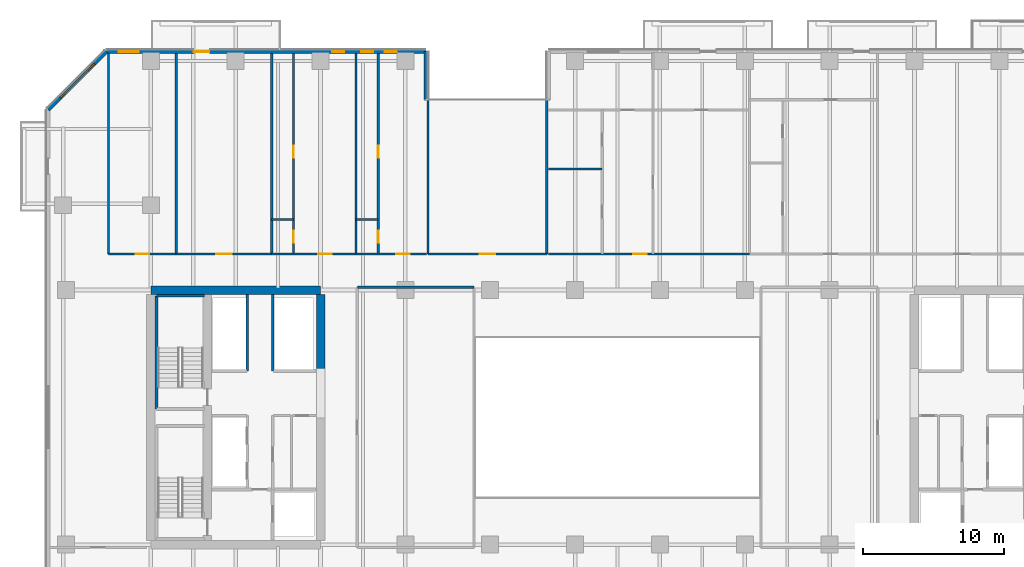
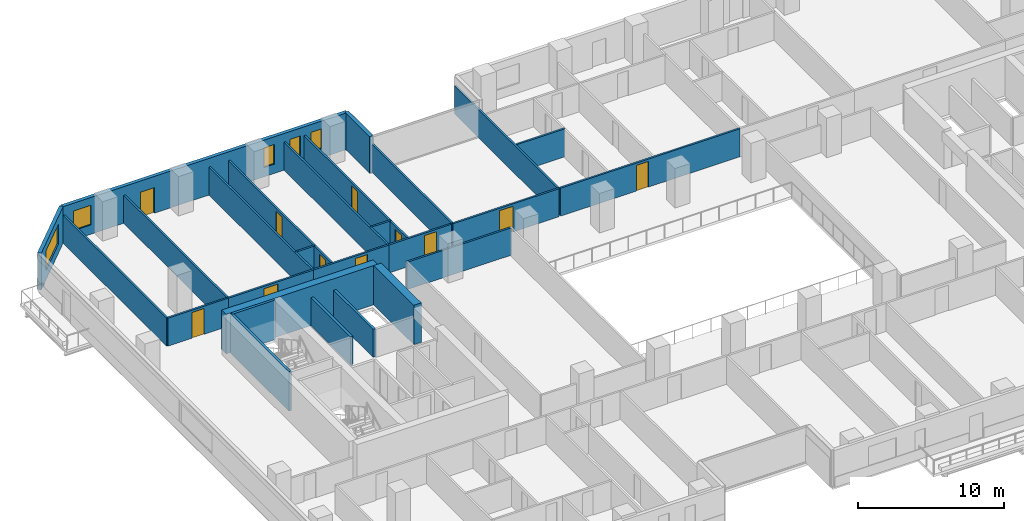
# One storey, part 13 of 26: 27 walls, 11 doors, 5 windows, 16 openings.
"""IFC4 building model written with IfcOpenShell, lengths in metres."""

from ifc_helpers import new_model, si_unit, direction, frame, frame_2d, origin, place, context, subcontext, project, spatial, rectangle, extrude, material, layer, layer_set, type_object, element, fill, save


model = new_model("IFC4")

# Units and contexts
model_context = context("Model", 3, precision=1e-05, world=origin(), true_north=direction((0.0, 1.0)))
body_context = subcontext(model_context, "Body", "Model", "MODEL_VIEW")
ifc_project = project(units=[si_unit("LENGTHUNIT", "METRE"), si_unit("AREAUNIT", "SQUARE_METRE"), si_unit("VOLUMEUNIT", "CUBIC_METRE"), si_unit("PLANEANGLEUNIT", "RADIAN"), si_unit("MASSUNIT", "GRAM", prefix="KILO")], contexts=[model_context])

# Site, building, storey
site_placement = place(None, origin())
site = spatial("IfcSite", under=ifc_project, at=site_placement, CompositionType="ELEMENT")
building_placement = place(site_placement, origin())
building = spatial("IfcBuilding", under=site, at=building_placement, Name="Tanjung Sevakor Pilgrim Tower", CompositionType="ELEMENT")
storey_placement = place(building_placement, frame((0.0, 0.0, 45.5400390625)))
storey = spatial("IfcBuildingStorey", under=building, at=storey_placement, Name="L12", CompositionType="ELEMENT", Elevation=45.5400390625)

# Walls
ifc_material_1 = material(Name="Concrete C60/75", Category="concrete")
ifc_layer_1 = layer(ifc_material_1, 0.60009765625)
ifc_layer_set_1 = layer_set([ifc_layer_1], Name="WALL-CW-600")
wall_type_1 = type_object("IfcWallType", Name="WALL-CW-600", PredefinedType="SHEAR", material=ifc_layer_set_1)
wall_1_placement = place(storey_placement, frame((36.0, 42.60009765625, 0.0), z_axis=(0.0, 0.0, 1.0), x_axis=(-1.0, 0.0, 0.0)))
element("IfcWall", 1, at=wall_1_placement, inside=storey, type_object=wall_type_1, Name="L12 W Core North Shear Wall", PredefinedType="SHEAR", context=body_context, shape_type="SweptSolid", body=[
    extrude(rectangle(XDim=12.0, YDim=0.60009765625, at=frame_2d((6.0, 0.0))), origin(), (0.0, 0.0, 1.0), 3.300048828125),
])
wall_2_placement = place(storey_placement, frame((36.0, 36.800048828125, 0.0), z_axis=(0.0, 0.0, 1.0), x_axis=(0.0, 1.0, 0.0)))
element("IfcWall", 2, at=wall_2_placement, inside=storey, type_object=wall_type_1, Name="L12 W Core Inner Shear Wall North", PredefinedType="SHEAR", context=body_context, shape_type="SweptSolid", body=[
    extrude(rectangle(XDim=5.5, YDim=0.60009765625, at=frame_2d((2.75, 0.0))), origin(), (0.0, 0.0, 1.0), 3.300048828125),
])
ifc_material_2 = material(Name="Concrete C40/50", Category="concrete")
ifc_layer_2 = layer(ifc_material_2, 0.14990234375)
ifc_layer_set_2 = layer_set([ifc_layer_2], Name="WT-COMP-150")
wall_type_2 = type_object("IfcWallType", Name="WT-COMP-150", PredefinedType="SOLIDWALL", material=ifc_layer_set_2)
wall_3_placement = place(storey_placement, frame((38.60009765625, 42.800048828125, 0.0), z_axis=(0.0, 0.0, 1.0), x_axis=(1.0, 0.0, 0.0)))
element("IfcWall", 3, at=wall_3_placement, inside=storey, type_object=wall_type_2, Name="L12 Partition IW-L12-026", PredefinedType="SOLIDWALL", context=body_context, shape_type="SweptSolid", body=[
    extrude(rectangle(XDim=8.25, YDim=0.14990234375, at=frame_2d((4.125, 0.0))), origin(), (0.0, 0.0, 1.0), 2.295166015625),
])

# Wall, opening, door
wall_4_placement = place(storey_placement, frame((43.60009765625, 45.14990234375, 0.0), z_axis=(0.0, 0.0, 1.0), x_axis=(1.0, 0.0, 0.0)))
wall_4 = element("IfcWall", 4, at=wall_4_placement, inside=storey, type_object=wall_type_2, Name="L12 Partition IW-L12-043", PredefinedType="SOLIDWALL", context=body_context, shape_type="SweptSolid", body=[
    extrude(rectangle(XDim=8.39990234375, YDim=0.14990234375, at=frame_2d((4.199951171875, 0.0))), origin(), (0.0, 0.0, 1.0), 2.35009765625),
])
opening_1_placement = place(wall_4_placement, frame((3.64990234375, 0.0, 0.0)))
opening_1 = element("IfcOpeningElement", 5, at=opening_1_placement, cuts=wall_4, Name="Opening ID-RM2", PredefinedType="OPENING", context=body_context, shape_type="SweptSolid", body=[
    extrude(rectangle(XDim=1.10009765625, YDim=2.14990234375, at=frame_2d((0.550048828125, 1.074951171875))), frame((0.0, 0.0849609375, 0.0), z_axis=(0.0, -1.0, 0.0), x_axis=(1.0, 0.0, 0.0)), (0.0, 0.0, 1.0), 0.169921875),
])
ifc_material_3 = material(Name="Hardwood Timber", Category="wood")
door_type_1 = type_object("IfcDoorType", Name="DT-INT-1100", OperationType="NOTDEFINED", PredefinedType="DOOR", material=ifc_material_3)
door_1_placement = place(opening_1_placement, origin())
door_1 = element("IfcDoor", 6, at=door_1_placement, inside=storey, type_object=door_type_1, Name="L12 North Cleft Seminar Room Door", OperationType="SINGLE_SWING_RIGHT", OverallHeight=2.14990234375, OverallWidth=1.10009765625, PredefinedType="DOOR", context=body_context, shape_type="SweptSolid", body=[
    extrude(rectangle(XDim=1.10009765625, YDim=2.14990234375, at=frame_2d((0.550048828125, 1.074951171875))), frame((0.0, 0.02490234375, 0.0), z_axis=(0.0, -1.0, 0.0), x_axis=(1.0, 0.0, 0.0)), (0.0, 0.0, 1.0), 0.050048828125),
])
fill(opening_1, door_1)

# Walls
for number, where, z_axis, x_axis, name in (
    (7, (43.60009765625, 45.14990234375, 0.0), (0.0, 0.0, 1.0), (0.0, 1.0, 0.0), "L12 Partition IW-L12-044"),
    (8, (52.0, 45.14990234375, 0.0), (0.0, 0.0, 1.0), (0.0, 1.0, 0.0), "L12 Partition IW-L12-045"),
    (9, (21.0, 45.14990234375, 0.0), (0.0, 0.0, 1.0), (0.0, 1.0, 0.0), "L12 Partition IW-L12-081"),
    (10, (25.798095703125, 45.14990234375, 0.0), (0.0, 0.0, 1.0), (0.0, 1.0, 0.0), "L12 Partition IW-L12-082"),
):
    element("IfcWall", number, at=place(storey_placement, frame(where, z_axis=z_axis, x_axis=x_axis)), inside=storey, type_object=wall_type_2, Name=name, PredefinedType="SOLIDWALL", context=body_context, shape_type="SweptSolid", body=[
        extrude(rectangle(XDim=14.170166015625, YDim=0.14990234375, at=frame_2d((7.0849609375, 0.0))), origin(), (0.0, 0.0, 1.0), 2.35009765625),
    ])

# Wall, opening, door
wall_5_placement = place(storey_placement, frame((21.0, 45.14990234375, 0.0), z_axis=(0.0, 0.0, 1.0), x_axis=(1.0, 0.0, 0.0)))
wall_5 = element("IfcWall", 11, at=wall_5_placement, inside=storey, type_object=wall_type_2, Name="L12 Partition IW-L12-083", PredefinedType="SOLIDWALL", context=body_context, shape_type="SweptSolid", body=[
    extrude(rectangle(XDim=4.798095703125, YDim=0.14990234375, at=frame_2d((2.39892578125, 0.0))), origin(), (0.0, 0.0, 1.0), 2.35009765625),
])
opening_2_placement = place(wall_5_placement, frame((1.924072265625, 0.0, 0.0)))
opening_2 = element("IfcOpeningElement", 12, at=opening_2_placement, cuts=wall_5, Name="Opening ID-FD2", PredefinedType="OPENING", context=body_context, shape_type="SweptSolid", body=[
    extrude(rectangle(XDim=0.949951171875, YDim=2.14990234375, at=frame_2d((0.47509765625, 1.074951171875))), frame((0.0, 0.0849609375, 0.0), z_axis=(0.0, -1.0, 0.0), x_axis=(1.0, 0.0, 0.0)), (0.0, 0.0, 1.0), 0.169921875),
])
ifc_material_4 = material(Name="Fire-Rated Timber", Category="wood")
door_type_2 = type_object("IfcDoorType", Name="DT-FIRE-950", OperationType="NOTDEFINED", PredefinedType="DOOR", material=ifc_material_4)
door_2_placement = place(opening_2_placement, origin())
door_2 = element("IfcDoor", 13, at=door_2_placement, inside=storey, type_object=door_type_2, Name="Study Room Entrance", OperationType="SINGLE_SWING_LEFT", OverallHeight=2.14990234375, OverallWidth=0.949951171875, PredefinedType="DOOR", context=body_context, shape_type="SweptSolid", body=[
    extrude(rectangle(XDim=0.949951171875, YDim=2.14990234375, at=frame_2d((0.47509765625, 1.074951171875))), frame((0.0, 0.02490234375, 0.0), z_axis=(0.0, -1.0, 0.0), x_axis=(1.0, 0.0, 0.0)), (0.0, 0.0, 1.0), 0.050048828125),
])
fill(opening_2, door_2)

# Wall
wall_6_placement = place(storey_placement, frame((32.551025390625, 45.14990234375, 0.0), z_axis=(0.0, 0.0, 1.0), x_axis=(0.0, 1.0, 0.0)))
element("IfcWall", 14, at=wall_6_placement, inside=storey, type_object=wall_type_2, Name="L12 Partition IW-L12-084", PredefinedType="SOLIDWALL", context=body_context, shape_type="SweptSolid", body=[
    extrude(rectangle(XDim=14.170166015625, YDim=0.14990234375, at=frame_2d((7.0849609375, 0.0))), origin(), (0.0, 0.0, 1.0), 2.35009765625),
])

# Wall, opening, door
wall_7_placement = place(storey_placement, frame((25.798095703125, 45.14990234375, 0.0), z_axis=(0.0, 0.0, 1.0), x_axis=(1.0, 0.0, 0.0)))
wall_7 = element("IfcWall", 15, at=wall_7_placement, inside=storey, type_object=wall_type_2, Name="L12 Partition IW-L12-085", PredefinedType="SOLIDWALL", context=body_context, shape_type="SweptSolid", body=[
    extrude(rectangle(XDim=6.7529296875, YDim=0.14990234375, at=frame_2d((3.37646484375, 0.0))), origin(), (0.0, 0.0, 1.0), 2.35009765625),
])
opening_3_placement = place(wall_7_placement, frame((2.826416015625, 0.0, 0.0)))
opening_3 = element("IfcOpeningElement", 16, at=opening_3_placement, cuts=wall_7, Name="Opening ID-FD0", PredefinedType="OPENING", context=body_context, shape_type="SweptSolid", body=[
    extrude(rectangle(XDim=1.10009765625, YDim=2.14990234375, at=frame_2d((0.550048828125, 1.074951171875))), frame((0.0, 0.0849609375, 0.0), z_axis=(0.0, -1.0, 0.0), x_axis=(1.0, 0.0, 0.0)), (0.0, 0.0, 1.0), 0.169921875),
])
ifc_material_5 = material(Name="Fire-Rated Steel S355J2", Category="steel")
door_type_3 = type_object("IfcDoorType", Name="DT-FIRE-1100", OperationType="NOTDEFINED", PredefinedType="DOOR", material=ifc_material_5)
door_3_placement = place(opening_3_placement, origin())
door_3 = element("IfcDoor", 17, at=door_3_placement, inside=storey, type_object=door_type_3, Name="Communal Lounge Door", OperationType="SINGLE_SWING_RIGHT", OverallHeight=2.14990234375, OverallWidth=1.10009765625, PredefinedType="DOOR", context=body_context, shape_type="SweptSolid", body=[
    extrude(rectangle(XDim=1.10009765625, YDim=2.14990234375, at=frame_2d((0.550048828125, 1.074951171875))), frame((0.0, 0.02490234375, 0.0), z_axis=(0.0, -1.0, 0.0), x_axis=(1.0, 0.0, 0.0)), (0.0, 0.0, 1.0), 0.050048828125),
])
fill(opening_3, door_3)

# Wall
wall_8_placement = place(storey_placement, frame((38.504150390625, 45.14990234375, 0.0), z_axis=(0.0, 0.0, 1.0), x_axis=(0.0, 1.0, 0.0)))
element("IfcWall", 18, at=wall_8_placement, inside=storey, type_object=wall_type_2, Name="L12 Partition IW-L12-086", PredefinedType="SOLIDWALL", context=body_context, shape_type="SweptSolid", body=[
    extrude(rectangle(XDim=14.170166015625, YDim=0.14990234375, at=frame_2d((7.0849609375, 0.0))), origin(), (0.0, 0.0, 1.0), 2.35009765625),
])

# Wall, opening, door
wall_9_placement = place(storey_placement, frame((32.551025390625, 45.14990234375, 0.0), z_axis=(0.0, 0.0, 1.0), x_axis=(1.0, 0.0, 0.0)))
wall_9 = element("IfcWall", 19, at=wall_9_placement, inside=storey, type_object=wall_type_2, Name="L12 Partition IW-L12-089", PredefinedType="SOLIDWALL", context=body_context, shape_type="SweptSolid", body=[
    extrude(rectangle(XDim=5.953125, YDim=0.14990234375, at=frame_2d((2.9765625, 0.0))), origin(), (0.0, 0.0, 1.0), 2.35009765625),
])
opening_4_placement = place(wall_9_placement, frame((3.30615234375, 0.0, 0.0)))
opening_4 = element("IfcOpeningElement", 20, at=opening_4_placement, cuts=wall_9, Name="Opening ID-FD2", PredefinedType="OPENING", context=body_context, shape_type="SweptSolid", body=[
    extrude(rectangle(XDim=0.949951171875, YDim=2.14990234375, at=frame_2d((0.47509765625, 1.074951171875))), frame((0.0, 0.0849609375, 0.0), z_axis=(0.0, -1.0, 0.0), x_axis=(1.0, 0.0, 0.0)), (0.0, 0.0, 1.0), 0.169921875),
])
door_4_placement = place(opening_4_placement, origin())
door_4 = element("IfcDoor", 21, at=door_4_placement, inside=storey, type_object=door_type_2, Name="Hotel Guestroom Entrance", OperationType="SINGLE_SWING_LEFT", OverallHeight=2.14990234375, OverallWidth=0.949951171875, PredefinedType="DOOR", context=body_context, shape_type="SweptSolid", body=[
    extrude(rectangle(XDim=0.949951171875, YDim=2.14990234375, at=frame_2d((0.47509765625, 1.074951171875))), frame((0.0, 0.02490234375, 0.0), z_axis=(0.0, -1.0, 0.0), x_axis=(1.0, 0.0, 0.0)), (0.0, 0.0, 1.0), 0.050048828125),
])
fill(opening_4, door_4)

wall_10_placement = place(storey_placement, frame((38.504150390625, 45.14990234375, 0.0), z_axis=(0.0, 0.0, 1.0), x_axis=(1.0, 0.0, 0.0)))
wall_10 = element("IfcWall", 22, at=wall_10_placement, inside=storey, type_object=wall_type_2, Name="L12 Partition IW-L12-092", PredefinedType="SOLIDWALL", context=body_context, shape_type="SweptSolid", body=[
    extrude(rectangle(XDim=4.975830078125, YDim=0.14990234375, at=frame_2d((2.48779296875, 0.0))), origin(), (0.0, 0.0, 1.0), 2.35009765625),
])
opening_5_placement = place(wall_10_placement, frame((2.8408203125, 0.0, 0.0)))
opening_5 = element("IfcOpeningElement", 23, at=opening_5_placement, cuts=wall_10, Name="Opening ID-FD2", PredefinedType="OPENING", context=body_context, shape_type="SweptSolid", body=[
    extrude(rectangle(XDim=0.949951171875, YDim=2.14990234375, at=frame_2d((0.47509765625, 1.074951171875))), frame((0.0, 0.0849609375, 0.0), z_axis=(0.0, -1.0, 0.0), x_axis=(1.0, 0.0, 0.0)), (0.0, 0.0, 1.0), 0.169921875),
])
door_5_placement = place(opening_5_placement, origin())
door_5 = element("IfcDoor", 24, at=door_5_placement, inside=storey, type_object=door_type_2, Name="Hostel Quad Entrance", OperationType="SINGLE_SWING_RIGHT", OverallHeight=2.14990234375, OverallWidth=0.949951171875, PredefinedType="DOOR", context=body_context, shape_type="SweptSolid", body=[
    extrude(rectangle(XDim=0.949951171875, YDim=2.14990234375, at=frame_2d((0.47509765625, 1.074951171875))), frame((0.0, 0.02490234375, 0.0), z_axis=(0.0, -1.0, 0.0), x_axis=(1.0, 0.0, 0.0)), (0.0, 0.0, 1.0), 0.050048828125),
])
fill(opening_5, door_5)

wall_11_placement = place(storey_placement, frame((52.1201171875, 45.14990234375, 0.0), z_axis=(0.0, 0.0, 1.0), x_axis=(1.0, 0.0, 0.0)))
wall_11 = element("IfcWall", 25, at=wall_11_placement, inside=storey, type_object=wall_type_2, Name="L12 Partition IW-L12-100", PredefinedType="SOLIDWALL", context=body_context, shape_type="SweptSolid", body=[
    extrude(rectangle(XDim=14.22119140625, YDim=0.14990234375, at=frame_2d((7.110595703125, 0.0))), origin(), (0.0, 0.0, 1.0), 2.35009765625),
])
opening_6_placement = place(wall_11_placement, frame((5.995361328125, 0.0, 0.0)))
opening_6 = element("IfcOpeningElement", 26, at=opening_6_placement, cuts=wall_11, Name="Opening ID-FD2", PredefinedType="OPENING", context=body_context, shape_type="SweptSolid", body=[
    extrude(rectangle(XDim=0.949951171875, YDim=2.14990234375, at=frame_2d((0.47509765625, 1.074951171875))), frame((0.0, 0.0849609375, 0.0), z_axis=(0.0, -1.0, 0.0), x_axis=(1.0, 0.0, 0.0)), (0.0, 0.0, 1.0), 0.169921875),
])
door_6_placement = place(opening_6_placement, origin())
door_6 = element("IfcDoor", 27, at=door_6_placement, inside=storey, type_object=door_type_2, Name="Suite Entrance", OperationType="SINGLE_SWING_RIGHT", OverallHeight=2.14990234375, OverallWidth=0.949951171875, PredefinedType="DOOR", context=body_context, shape_type="SweptSolid", body=[
    extrude(rectangle(XDim=0.949951171875, YDim=2.14990234375, at=frame_2d((0.47509765625, 1.074951171875))), frame((0.0, 0.02490234375, 0.0), z_axis=(0.0, -1.0, 0.0), x_axis=(1.0, 0.0, 0.0)), (0.0, 0.0, 1.0), 0.050048828125),
])
fill(opening_6, door_6)

# Wall
ifc_material_6 = material(Name="Precast concrete C45/55", Category="concrete")
ifc_layer_3 = layer(ifc_material_6, 0.280029296875)
ifc_layer_set_3 = layer_set([ifc_layer_3], Name="WT-EW-STN2")
wall_type_3 = type_object("IfcWallType", Name="WT-EW-STN2", PredefinedType="SOLIDWALL", material=ifc_layer_set_3)
wall_12_placement = place(storey_placement, frame((43.4599609375, 56.06005859375, 0.0), z_axis=(0.0, 0.0, 1.0), x_axis=(0.0, 1.0, 0.0)))
element("IfcWall", 28, at=wall_12_placement, inside=storey, type_object=wall_type_3, Name="L12 MAIN Exterior Wall 12", PredefinedType="SOLIDWALL", context=body_context, shape_type="SweptSolid", body=[
    extrude(rectangle(XDim=3.39990234375, YDim=0.280029296875, at=frame_2d((1.699951171875, 0.0))), origin(), (0.0, 0.0, 1.0), 3.080078125),
])

# Wall, openings, door, windows
wall_13_placement = place(storey_placement, frame((43.4599609375, 59.4599609375, 0.0), z_axis=(0.0, 0.0, 1.0), x_axis=(-1.0, 0.0, 0.0)))
wall_13 = element("IfcWall", 29, at=wall_13_placement, inside=storey, type_object=wall_type_3, Name="L12 MAIN Exterior Wall 13", PredefinedType="SOLIDWALL", context=body_context, shape_type="SweptSolid", body=[
    extrude(rectangle(XDim=22.60205078125, YDim=0.280029296875, at=frame_2d((11.301025390625, 0.0))), origin(), (0.0, 0.0, 1.0), 3.080078125),
])
opening_7_placement = place(wall_13_placement, frame((15.31005859375, 0.0, 0.0)))
opening_7 = element("IfcOpeningElement", 30, at=opening_7_placement, cuts=wall_13, Name="Opening ED-BAL-1100", PredefinedType="OPENING", context=body_context, shape_type="SweptSolid", body=[
    extrude(rectangle(XDim=1.10009765625, YDim=2.14990234375, at=frame_2d((0.550048828125, 1.074951171875))), frame((0.0, 0.14990234375, 0.0), z_axis=(0.0, -1.0, 0.0), x_axis=(1.0, 0.0, 0.0)), (0.0, 0.0, 1.0), 0.300048828125),
])
opening_8_placement = place(wall_13_placement, frame((20.321044921875, 0.0, 0.780029296875)))
opening_8 = element("IfcOpeningElement", 31, at=opening_8_placement, cuts=wall_13, Name="Opening WN-END", PredefinedType="OPENING", context=body_context, shape_type="SweptSolid", body=[
    extrude(rectangle(XDim=1.39990234375, YDim=1.64990234375, at=frame_2d((0.699951171875, 0.824951171875))), frame((0.0, 0.14990234375, 0.0), z_axis=(0.0, -1.0, 0.0), x_axis=(1.0, 0.0, 0.0)), (0.0, 0.0, 1.0), 0.300048828125),
])
opening_9_placement = place(wall_13_placement, frame((5.79296875, 0.0, 0.780029296875)))
opening_9 = element("IfcOpeningElement", 32, at=opening_9_placement, cuts=wall_13, Name="Opening WN-SLM", PredefinedType="OPENING", context=body_context, shape_type="SweptSolid", body=[
    extrude(rectangle(XDim=0.85009765625, YDim=1.64990234375, at=frame_2d((0.425048828125, 0.824951171875))), frame((0.0, 0.14990234375, 0.0), z_axis=(0.0, -1.0, 0.0), x_axis=(1.0, 0.0, 0.0)), (0.0, 0.0, 1.0), 0.300048828125),
])
opening_10_placement = place(wall_13_placement, frame((3.73291015625, 0.0, 0.780029296875)))
opening_10 = element("IfcOpeningElement", 33, at=opening_10_placement, cuts=wall_13, Name="Opening WN-SLM", PredefinedType="OPENING", context=body_context, shape_type="SweptSolid", body=[
    extrude(rectangle(XDim=0.85009765625, YDim=1.64990234375, at=frame_2d((0.425048828125, 0.824951171875))), frame((0.0, 0.14990234375, 0.0), z_axis=(0.0, -1.0, 0.0), x_axis=(1.0, 0.0, 0.0)), (0.0, 0.0, 1.0), 0.300048828125),
])
opening_11_placement = place(wall_13_placement, frame((2.06494140625, 0.0, 0.780029296875)))
opening_11 = element("IfcOpeningElement", 34, at=opening_11_placement, cuts=wall_13, Name="Opening WN-SLM", PredefinedType="OPENING", context=body_context, shape_type="SweptSolid", body=[
    extrude(rectangle(XDim=0.85009765625, YDim=1.64990234375, at=frame_2d((0.425048828125, 0.824951171875))), frame((0.0, 0.14990234375, 0.0), z_axis=(0.0, -1.0, 0.0), x_axis=(1.0, 0.0, 0.0)), (0.0, 0.0, 1.0), 0.300048828125),
])
ifc_material_7 = material(Name="Anodised Aluminium and Laminated Glass", Category="aluminium")
door_type_4 = type_object("IfcDoorType", Name="DTYP-ED-BAL-1100", OperationType="NOTDEFINED", PredefinedType="DOOR", material=ifc_material_7)
door_7_placement = place(opening_7_placement, frame((1.10009765625, 0.0, 0.0), z_axis=(0.0, 0.0, 1.0), x_axis=(-1.0, 0.0, 0.0)))
door_7 = element("IfcDoor", 35, at=door_7_placement, inside=storey, type_object=door_type_4, Name="L12 Balcony Door MAIN-N1", OperationType="SINGLE_SWING_LEFT", OverallHeight=2.14990234375, OverallWidth=1.10009765625, PredefinedType="DOOR", context=body_context, shape_type="SweptSolid", body=[
    extrude(rectangle(XDim=1.10009765625, YDim=2.14990234375, at=frame_2d((0.550048828125, 1.074951171875))), frame((0.0, 0.02490234375, 0.0), z_axis=(0.0, -1.0, 0.0), x_axis=(1.0, 0.0, 0.0)), (0.0, 0.0, 1.0), 0.050048828125),
])
fill(opening_7, door_7)
ifc_material_8 = material(Name="Thermally Broken Aluminium and Low-E Glass", Category="aluminium")
window_type_1 = type_object("IfcWindowType", Name="WTYP-WN-END", PartitioningType="SINGLE_PANEL", PredefinedType="WINDOW", material=ifc_material_8)
window_1_placement = place(opening_8_placement, origin())
window_1 = element("IfcWindow", 36, at=window_1_placement, inside=storey, type_object=window_type_1, Name="L12 Facade Window 01", OverallHeight=1.64990234375, OverallWidth=1.39990234375, PartitioningType="SINGLE_PANEL", PredefinedType="WINDOW", context=body_context, shape_type="SweptSolid", body=[
    extrude(rectangle(XDim=1.39990234375, YDim=1.64990234375, at=frame_2d((0.699951171875, 0.824951171875))), frame((0.0, 0.030029296875, 0.0), z_axis=(0.0, -1.0, 0.0), x_axis=(1.0, 0.0, 0.0)), (0.0, 0.0, 1.0), 0.06005859375),
])
fill(opening_8, window_1)
ifc_material_9 = material(Name="Thermally Broken Aluminium and Low-E Glass", Category="aluminium")
window_type_2 = type_object("IfcWindowType", Name="WTYP-WN-SLM", PartitioningType="SINGLE_PANEL", PredefinedType="WINDOW", material=ifc_material_9)
window_2_placement = place(opening_9_placement, origin())
window_2 = element("IfcWindow", 37, at=window_2_placement, inside=storey, type_object=window_type_2, Name="L12 Facade Window 02", OverallHeight=1.64990234375, OverallWidth=0.85009765625, PartitioningType="SINGLE_PANEL", PredefinedType="WINDOW", context=body_context, shape_type="SweptSolid", body=[
    extrude(rectangle(XDim=0.85009765625, YDim=1.64990234375, at=frame_2d((0.425048828125, 0.824951171875))), frame((0.0, 0.030029296875, 0.0), z_axis=(0.0, -1.0, 0.0), x_axis=(1.0, 0.0, 0.0)), (0.0, 0.0, 1.0), 0.06005859375),
])
fill(opening_9, window_2)
window_3_placement = place(opening_10_placement, origin())
window_3 = element("IfcWindow", 38, at=window_3_placement, inside=storey, type_object=window_type_2, Name="L12 Facade Window 03", OverallHeight=1.64990234375, OverallWidth=0.85009765625, PartitioningType="SINGLE_PANEL", PredefinedType="WINDOW", context=body_context, shape_type="SweptSolid", body=[
    extrude(rectangle(XDim=0.85009765625, YDim=1.64990234375, at=frame_2d((0.425048828125, 0.824951171875))), frame((0.0, 0.030029296875, 0.0), z_axis=(0.0, -1.0, 0.0), x_axis=(1.0, 0.0, 0.0)), (0.0, 0.0, 1.0), 0.06005859375),
])
fill(opening_10, window_3)
window_4_placement = place(opening_11_placement, origin())
window_4 = element("IfcWindow", 39, at=window_4_placement, inside=storey, type_object=window_type_2, Name="L12 Facade Window 04", OverallHeight=1.64990234375, OverallWidth=0.85009765625, PartitioningType="SINGLE_PANEL", PredefinedType="WINDOW", context=body_context, shape_type="SweptSolid", body=[
    extrude(rectangle(XDim=0.85009765625, YDim=1.64990234375, at=frame_2d((0.425048828125, 0.824951171875))), frame((0.0, 0.030029296875, 0.0), z_axis=(0.0, -1.0, 0.0), x_axis=(1.0, 0.0, 0.0)), (0.0, 0.0, 1.0), 0.06005859375),
])
fill(opening_11, window_4)

# Wall, opening, window
wall_14_placement = place(storey_placement, frame((20.85791015625, 59.4599609375, 0.0), z_axis=(0.0, 0.0, 1.0), x_axis=(-0.707106781187, -0.707106781187, 0.0)))
wall_14 = element("IfcWall", 40, at=wall_14_placement, inside=storey, type_object=wall_type_3, Name="L12 MAIN Sculpted Corner Wall 13", PredefinedType="SOLIDWALL", context=body_context, shape_type="SweptSolid", body=[
    extrude(rectangle(XDim=5.82373046875, YDim=0.280029296875, at=frame_2d((2.911865234375, 0.0))), origin(), (0.0, 0.0, 1.0), 3.080078125),
])
opening_12_placement = place(wall_14_placement, frame((1.2119140625, 0.0, 0.780029296875)))
opening_12 = element("IfcOpeningElement", 41, at=opening_12_placement, cuts=wall_14, Name="Opening WN-CHM-1660", PredefinedType="OPENING", context=body_context, shape_type="SweptSolid", body=[
    extrude(rectangle(XDim=3.39990234375, YDim=1.659912109375, at=frame_2d((1.699951171875, 0.830078125))), frame((0.0, 0.14990234375, 0.0), z_axis=(0.0, -1.0, 0.0), x_axis=(1.0, 0.0, 0.0)), (0.0, 0.0, 1.0), 0.300048828125),
])
ifc_material_10 = material(Name="Thermally Broken Aluminium and Low-E Glass", Category="aluminium")
window_type_3 = type_object("IfcWindowType", Name="WTYP-WN-CHM-1660", PartitioningType="DOUBLE_PANEL_VERTICAL", PredefinedType="WINDOW", material=ifc_material_10)
window_5_placement = place(opening_12_placement, origin())
window_5 = element("IfcWindow", 42, at=window_5_placement, inside=storey, type_object=window_type_3, Name="L12 Facade Window 01", OverallHeight=1.659912109375, OverallWidth=3.39990234375, PartitioningType="SINGLE_PANEL", PredefinedType="WINDOW", context=body_context, shape_type="SweptSolid", body=[
    extrude(rectangle(XDim=3.39990234375, YDim=1.659912109375, at=frame_2d((1.699951171875, 0.830078125))), frame((0.0, 0.030029296875, 0.0), z_axis=(0.0, -1.0, 0.0), x_axis=(1.0, 0.0, 0.0)), (0.0, 0.0, 1.0), 0.06005859375),
])
fill(opening_12, window_5)

# Walls
ifc_material_11 = material(Name="Concrete C40/50", Category="concrete")
ifc_layer_4 = layer(ifc_material_11, 0.199951171875)
ifc_layer_set_4 = layer_set([ifc_layer_4], Name="WT-FIRE-200")
wall_type_4 = type_object("IfcWallType", Name="WT-FIRE-200", PredefinedType="SOLIDWALL", material=ifc_layer_set_4)
wall_15_placement = place(storey_placement, frame((27.800048828125, 42.199951171875, 0.0), z_axis=(0.0, 0.0, 1.0), x_axis=(-1.0, 0.0, 0.0)))
element("IfcWall", 43, at=wall_15_placement, inside=storey, type_object=wall_type_4, Name="L12 TS-W2 Shaft Wall 2", PredefinedType="SOLIDWALL", context=body_context, shape_type="SweptSolid", body=[
    extrude(rectangle(XDim=3.400146484375, YDim=0.199951171875, at=frame_2d((1.7001953125, 0.0))), origin(), (0.0, 0.0, 1.0), 3.300048828125),
])
wall_16_placement = place(storey_placement, frame((24.39990234375, 42.199951171875, 0.0), z_axis=(0.0, 0.0, 1.0), x_axis=(0.0, -1.0, 0.0)))
element("IfcWall", 44, at=wall_16_placement, inside=storey, type_object=wall_type_4, Name="L12 TS-W2 Shaft Wall 3", PredefinedType="SOLIDWALL", context=body_context, shape_type="SweptSolid", body=[
    extrude(rectangle(XDim=8.0, YDim=0.199951171875, at=frame_2d((4.0, 0.0))), origin(), (0.0, 0.0, 1.0), 3.300048828125),
])
ifc_material_12 = material(Name="Concrete C40/50", Category="concrete")
ifc_layer_5 = layer(ifc_material_12, 0.199951171875)
ifc_layer_set_5 = layer_set([ifc_layer_5], Name="WT-FPRT-200")
wall_type_5 = type_object("IfcWallType", Name="WT-FPRT-200", PredefinedType="SOLIDWALL", material=ifc_layer_set_5)
for number, where, z_axis, x_axis, name in (
    (45, (30.820068359375, 36.8798828125, 0.0), (0.0, 0.0, 1.0), (0.0, 1.0, 0.0), "L12 Partition IW-L12-010"),
    (46, (32.6201171875, 36.8798828125, 0.0), (0.0, 0.0, 1.0), (0.0, 1.0, 0.0), "L12 Partition IW-L12-012"),
):
    element("IfcWall", number, at=place(storey_placement, frame(where, z_axis=z_axis, x_axis=x_axis)), inside=storey, type_object=wall_type_5, Name=name, PredefinedType="SOLIDWALL", context=body_context, shape_type="SweptSolid", body=[
        extrude(rectangle(XDim=5.420166015625, YDim=0.199951171875, at=frame_2d((2.7099609375, 0.0))), origin(), (0.0, 0.0, 1.0), 2.35009765625),
    ])
ifc_material_13 = material(Name="Gypsum Board Partition", Category="gypsum board")
ifc_layer_6 = layer(ifc_material_13, 0.14990234375)
ifc_layer_set_6 = layer_set([ifc_layer_6], Name="WT-PART-150")
wall_type_6 = type_object("IfcWallType", Name="WT-PART-150", PredefinedType="PARTITIONING", material=ifc_layer_set_6)
wall_17_placement = place(storey_placement, frame((32.551025390625, 47.60009765625, 0.0), z_axis=(0.0, 0.0, 1.0), x_axis=(1.0, 0.0, 0.0)))
element("IfcWall", 47, at=wall_17_placement, inside=storey, type_object=wall_type_6, Name="L12 Partition IW-L12-087", PredefinedType="PARTITIONING", context=body_context, shape_type="SweptSolid", body=[
    extrude(rectangle(XDim=1.529052734375, YDim=0.14990234375, at=frame_2d((0.7646484375, 0.0))), origin(), (0.0, 0.0, 1.0), 2.35009765625),
])

# Wall, openings, doors
wall_18_placement = place(storey_placement, frame((34.080078125, 45.14990234375, 0.0), z_axis=(0.0, 0.0, 1.0), x_axis=(0.0, 1.0, 0.0)))
wall_18 = element("IfcWall", 48, at=wall_18_placement, inside=storey, type_object=wall_type_6, Name="L12 Partition IW-L12-088", PredefinedType="PARTITIONING", context=body_context, shape_type="SweptSolid", body=[
    extrude(rectangle(XDim=14.170166015625, YDim=0.14990234375, at=frame_2d((7.0849609375, 0.0))), origin(), (0.0, 0.0, 1.0), 2.35009765625),
])
opening_13_placement = place(wall_18_placement, frame((0.800048828125, 0.0, 0.0)))
opening_13 = element("IfcOpeningElement", 49, at=opening_13_placement, cuts=wall_18, Name="Opening ID-WC1", PredefinedType="OPENING", context=body_context, shape_type="SweptSolid", body=[
    extrude(rectangle(XDim=0.85009765625, YDim=2.10009765625, at=frame_2d((0.425048828125, 1.050048828125))), frame((0.0, 0.0849609375, 0.0), z_axis=(0.0, -1.0, 0.0), x_axis=(1.0, 0.0, 0.0)), (0.0, 0.0, 1.0), 0.169921875),
])
opening_14_placement = place(wall_18_placement, frame((6.798095703125, 0.0, 0.0)))
opening_14 = element("IfcOpeningElement", 50, at=opening_14_placement, cuts=wall_18, Name="Opening ID-WC1", PredefinedType="OPENING", context=body_context, shape_type="SweptSolid", body=[
    extrude(rectangle(XDim=0.85009765625, YDim=2.10009765625, at=frame_2d((0.425048828125, 1.050048828125))), frame((0.0, 0.0849609375, 0.0), z_axis=(0.0, -1.0, 0.0), x_axis=(1.0, 0.0, 0.0)), (0.0, 0.0, 1.0), 0.169921875),
])
ifc_material_14 = material(Name="Moisture-Resistant Timber", Category="wood")
door_type_5 = type_object("IfcDoorType", Name="DT-INT-850", OperationType="NOTDEFINED", PredefinedType="DOOR", material=ifc_material_14)
door_8_placement = place(opening_13_placement, origin())
door_8 = element("IfcDoor", 51, at=door_8_placement, inside=storey, type_object=door_type_5, Name="Bathroom Door", OperationType="SINGLE_SWING_LEFT", OverallHeight=2.10009765625, OverallWidth=0.85009765625, PredefinedType="DOOR", context=body_context, shape_type="SweptSolid", body=[
    extrude(rectangle(XDim=0.85009765625, YDim=2.10009765625, at=frame_2d((0.425048828125, 1.050048828125))), frame((0.0, 0.02490234375, 0.0), z_axis=(0.0, -1.0, 0.0), x_axis=(1.0, 0.0, 0.0)), (0.0, 0.0, 1.0), 0.050048828125),
])
fill(opening_13, door_8)
door_9_placement = place(opening_14_placement, origin())
door_9 = element("IfcDoor", 52, at=door_9_placement, inside=storey, type_object=door_type_5, Name="Study Nook Door", OperationType="SINGLE_SWING_RIGHT", OverallHeight=2.10009765625, OverallWidth=0.85009765625, PredefinedType="DOOR", context=body_context, shape_type="SweptSolid", body=[
    extrude(rectangle(XDim=0.85009765625, YDim=2.10009765625, at=frame_2d((0.425048828125, 1.050048828125))), frame((0.0, 0.02490234375, 0.0), z_axis=(0.0, -1.0, 0.0), x_axis=(1.0, 0.0, 0.0)), (0.0, 0.0, 1.0), 0.050048828125),
])
fill(opening_14, door_9)

# Wall
wall_19_placement = place(storey_placement, frame((38.504150390625, 47.60009765625, 0.0), z_axis=(0.0, 0.0, 1.0), x_axis=(1.0, 0.0, 0.0)))
element("IfcWall", 53, at=wall_19_placement, inside=storey, type_object=wall_type_6, Name="L12 Partition IW-L12-090", PredefinedType="PARTITIONING", context=body_context, shape_type="SweptSolid", body=[
    extrude(rectangle(XDim=1.575927734375, YDim=0.14990234375, at=frame_2d((0.7880859375, 0.0))), origin(), (0.0, 0.0, 1.0), 2.35009765625),
])

# Wall, openings, doors
wall_20_placement = place(storey_placement, frame((40.080078125, 45.14990234375, 0.0), z_axis=(0.0, 0.0, 1.0), x_axis=(0.0, 1.0, 0.0)))
wall_20 = element("IfcWall", 54, at=wall_20_placement, inside=storey, type_object=wall_type_6, Name="L12 Partition IW-L12-091", PredefinedType="PARTITIONING", context=body_context, shape_type="SweptSolid", body=[
    extrude(rectangle(XDim=14.170166015625, YDim=0.14990234375, at=frame_2d((7.0849609375, 0.0))), origin(), (0.0, 0.0, 1.0), 2.35009765625),
])
opening_15_placement = place(wall_20_placement, frame((0.800048828125, 0.0, 0.0)))
opening_15 = element("IfcOpeningElement", 55, at=opening_15_placement, cuts=wall_20, Name="Opening ID-WC1", PredefinedType="OPENING", context=body_context, shape_type="SweptSolid", body=[
    extrude(rectangle(XDim=0.85009765625, YDim=2.10009765625, at=frame_2d((0.425048828125, 1.050048828125))), frame((0.0, 0.0849609375, 0.0), z_axis=(0.0, -1.0, 0.0), x_axis=(1.0, 0.0, 0.0)), (0.0, 0.0, 1.0), 0.169921875),
])
opening_16_placement = place(wall_20_placement, frame((6.798095703125, 0.0, 0.0)))
opening_16 = element("IfcOpeningElement", 56, at=opening_16_placement, cuts=wall_20, Name="Opening ID-WC1", PredefinedType="OPENING", context=body_context, shape_type="SweptSolid", body=[
    extrude(rectangle(XDim=0.85009765625, YDim=2.10009765625, at=frame_2d((0.425048828125, 1.050048828125))), frame((0.0, 0.0849609375, 0.0), z_axis=(0.0, -1.0, 0.0), x_axis=(1.0, 0.0, 0.0)), (0.0, 0.0, 1.0), 0.169921875),
])
door_10_placement = place(opening_15_placement, origin())
door_10 = element("IfcDoor", 57, at=door_10_placement, inside=storey, type_object=door_type_5, Name="Bathroom Door", OperationType="SINGLE_SWING_RIGHT", OverallHeight=2.10009765625, OverallWidth=0.85009765625, PredefinedType="DOOR", context=body_context, shape_type="SweptSolid", body=[
    extrude(rectangle(XDim=0.85009765625, YDim=2.10009765625, at=frame_2d((0.425048828125, 1.050048828125))), frame((0.0, 0.02490234375, 0.0), z_axis=(0.0, -1.0, 0.0), x_axis=(1.0, 0.0, 0.0)), (0.0, 0.0, 1.0), 0.050048828125),
])
fill(opening_15, door_10)
door_11_placement = place(opening_16_placement, origin())
door_11 = element("IfcDoor", 58, at=door_11_placement, inside=storey, type_object=door_type_5, Name="Study Nook Door", OperationType="SINGLE_SWING_LEFT", OverallHeight=2.10009765625, OverallWidth=0.85009765625, PredefinedType="DOOR", context=body_context, shape_type="SweptSolid", body=[
    extrude(rectangle(XDim=0.85009765625, YDim=2.10009765625, at=frame_2d((0.425048828125, 1.050048828125))), frame((0.0, 0.02490234375, 0.0), z_axis=(0.0, -1.0, 0.0), x_axis=(1.0, 0.0, 0.0)), (0.0, 0.0, 1.0), 0.050048828125),
])
fill(opening_16, door_11)

# Wall
wall_21_placement = place(storey_placement, frame((52.1201171875, 51.15673828125, 0.0), z_axis=(0.0, 0.0, 1.0), x_axis=(1.0, 0.0, 0.0)))
element("IfcWall", 59, at=wall_21_placement, inside=storey, type_object=wall_type_6, Name="L12 Partition IW-L12-096", PredefinedType="PARTITIONING", context=body_context, shape_type="SweptSolid", body=[
    extrude(rectangle(XDim=3.7998046875, YDim=0.14990234375, at=frame_2d((1.89990234375, 0.0))), origin(), (0.0, 0.0, 1.0), 2.35009765625),
])

save(model, "model.ifc")
